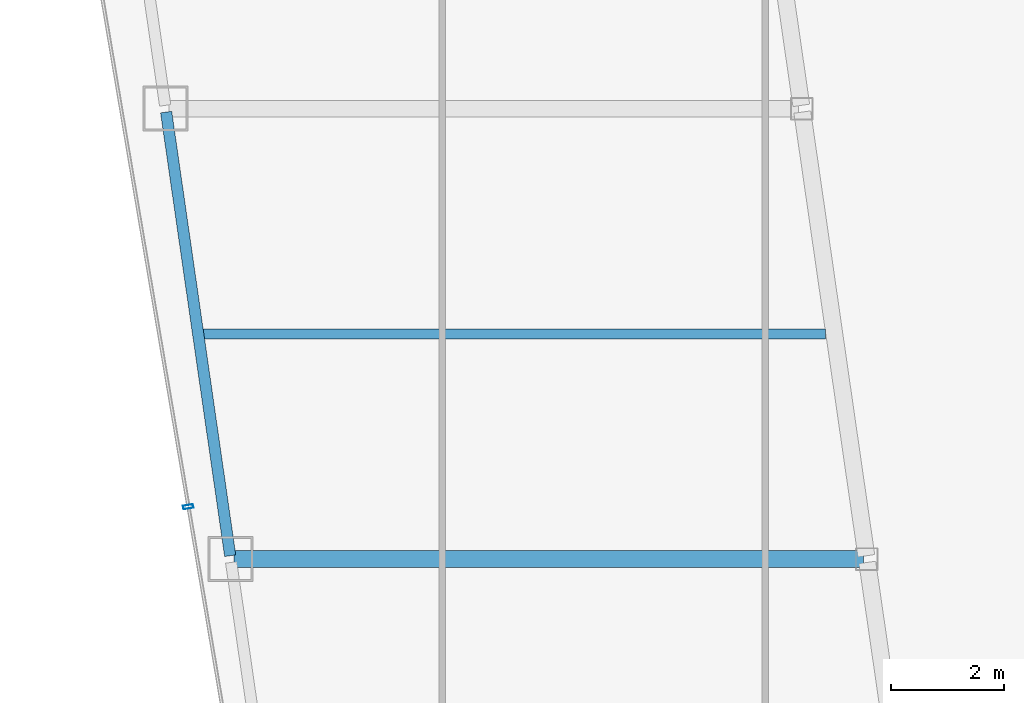
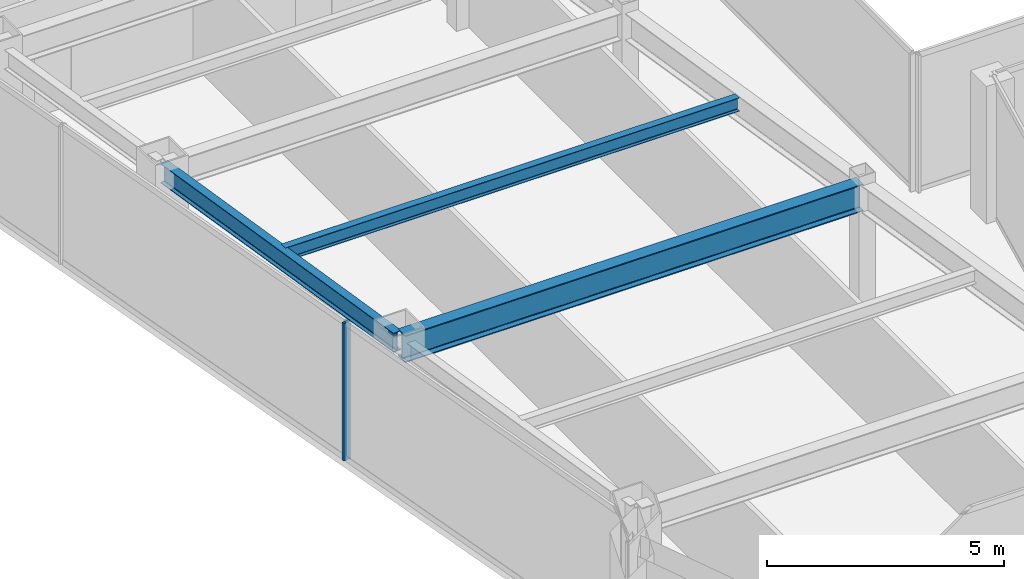
# One storey, part 5 of 36: 3 beams, 1 member, 1 element without a shape of its own.
"""IFC4 building model written with IfcOpenShell, lengths in metres."""

from ifc_helpers import new_model, si_unit, direction, frame, origin, origin_2d, place, context, subcontext, project, spatial, hollow_rectangle, i_section, extrude, material, material_profile, profile_set, type_object, element, aggregate, save


model = new_model("IFC4")

# Units and contexts
model_context = context("Model", 3, precision=1e-05, world=origin(), true_north=direction((0.0, 1.0)))
body_context = subcontext(model_context, "Body", "Model", "MODEL_VIEW")
ifc_project = project(units=[si_unit("LENGTHUNIT", "METRE"), si_unit("AREAUNIT", "SQUARE_METRE"), si_unit("VOLUMEUNIT", "CUBIC_METRE"), si_unit("PLANEANGLEUNIT", "RADIAN"), si_unit("MASSUNIT", "GRAM", prefix="KILO")], contexts=[model_context])

# Site, building, storey
site_placement = place(None, origin())
site = spatial("IfcSite", under=ifc_project, at=site_placement, CompositionType="ELEMENT")
building_placement = place(site_placement, origin())
building = spatial("IfcBuilding", under=site, at=building_placement, Name="Saevonmaru Cultural Tower", CompositionType="ELEMENT")
storey_placement = place(building_placement, frame((0.0, 0.0, 186.60009765625)))
storey = spatial("IfcBuildingStorey", under=building, at=storey_placement, Name="L42", CompositionType="ELEMENT", Elevation=186.60009765625)

# Beams
ifc_material_1 = material(Name="Steel SM355", Category="steel")
ifc_material_profile_1 = material_profile(ifc_material_1, i_section(OverallWidth=0.300048828125, OverallDepth=0.699951171875, WebThickness=0.012939453125, FlangeThickness=0.02392578125, FilletRadius=0.02587890625, at=origin_2d()), Name="H-700x300x13x24")
ifc_profile_set_1 = profile_set([ifc_material_profile_1], Name="Steel SM355")
beam_type_1 = type_object("IfcBeamType", Name="BM-G-H700", PredefinedType="BEAM", material=ifc_profile_set_1)
beam_1_placement = place(storey_placement, frame((9.531982421875, 24.0, 3.199951171875), z_axis=(1.0, 0.0, 0.0), x_axis=(0.0, 1.0, 0.0)))
element("IfcBeam", 1, at=beam_1_placement, inside=storey, type_object=beam_type_1, Name="L42 West Wing Transverse Girder 2", PredefinedType="BEAM", context=body_context, shape_type="SweptSolid", body=[
    extrude(i_section(OverallWidth=0.300048828125, OverallDepth=0.699951171875, WebThickness=0.012939453125, FlangeThickness=0.02392578125, FilletRadius=0.02587890625, at=origin_2d()), origin(), (0.0, 0.0, 1.0), 11.179931640625),
])
ifc_material_profile_2 = material_profile(ifc_material_1, i_section(OverallWidth=0.175048828125, OverallDepth=0.35009765625, WebThickness=0.007080078125, FlangeThickness=0.010986328125, FilletRadius=0.012939453125, at=origin_2d()), Name="H-350x175x7x11")
ifc_profile_set_2 = profile_set([ifc_material_profile_2], Name="Steel SM355")
beam_type_2 = type_object("IfcBeamType", Name="BM-J-H350", PredefinedType="JOIST", material=ifc_profile_set_2)
beam_2_placement = place(storey_placement, frame((8.95458984375, 28.0, 3.375), z_axis=(1.0, 0.0, 0.0), x_axis=(0.0, 1.0, 0.0)))
element("IfcBeam", 2, at=beam_2_placement, inside=storey, type_object=beam_type_2, Name="L42 West Wing Floor Joist 2", PredefinedType="JOIST", context=body_context, shape_type="SweptSolid", body=[
    extrude(i_section(OverallWidth=0.175048828125, OverallDepth=0.35009765625, WebThickness=0.007080078125, FlangeThickness=0.010986328125, FilletRadius=0.012939453125, at=origin_2d()), origin(), (0.0, 0.0, 1.0), 11.08203125),
])
ifc_material_profile_3 = material_profile(ifc_material_1, i_section(OverallWidth=0.199951171875, OverallDepth=0.5, WebThickness=0.010009765625, FlangeThickness=0.01611328125, FilletRadius=0.02001953125, at=origin_2d()), Name="H-500x200x10x16")
ifc_profile_set_3 = profile_set([ifc_material_profile_3], Name="Steel SM355")
beam_type_3 = type_object("IfcBeamType", Name="BM-SP-H500", PredefinedType="SPANDREL", material=ifc_profile_set_3)
beam_3_placement = place(storey_placement, frame((9.46337890625, 24.059326171875, 3.2998046875), z_axis=(-0.142871999001, 0.989741174197, 0.0), x_axis=(-0.989741174197, -0.142871999001, 0.0)))
element("IfcBeam", 3, at=beam_3_placement, inside=storey, type_object=beam_type_3, Name="L42 West Splayed Spandrel 2", PredefinedType="SPANDREL", context=body_context, shape_type="SweptSolid", body=[
    extrude(i_section(OverallWidth=0.199951171875, OverallDepth=0.5, WebThickness=0.010009765625, FlangeThickness=0.01611328125, FilletRadius=0.02001953125, at=origin_2d()), origin(), (0.0, 0.0, 1.0), 7.963134765625),
])

# Curtain wall, member
ifc_material_2 = material(Name="Satin Bronze Anodised Aluminium", Category="aluminium")
curtain_wall_type = type_object("IfcCurtainWallType", Name="CW-TYP-B", PredefinedType="NOTDEFINED", material=ifc_material_2)
curtain_wall_placement = place(storey_placement, origin())
curtain_wall = element("IfcCurtainWall", 4, at=curtain_wall_placement, inside=storey, type_object=curtain_wall_type, Name="L42 Unitised Curtain Wall E12", PredefinedType="NOTDEFINED")
ifc_material_profile_4 = material_profile(ifc_material_2, hollow_rectangle(XDim=0.06494140625, YDim=0.179931640625, WallThickness=0.00390625, at=origin_2d()), Name="ALU-MULL-180x65x4")
ifc_profile_set_4 = profile_set([ifc_material_profile_4], Name="Satin Bronze Anodised Aluminium")
member_type = type_object("IfcMemberType", Name="ML-CW-180x65", PredefinedType="MULLION", material=ifc_profile_set_4)
member_placement = place(storey_placement, frame((8.71826171875, 24.9296875, 0.0), z_axis=(0.0, 0.0, 1.0), x_axis=(0.16692169721, -0.985970155228, 0.0)))
member = element("IfcMember", 5, at=member_placement, type_object=member_type, Name="CW-TW-L42-E12 mullion 4", PredefinedType="MULLION", context=body_context, shape_type="SweptSolid", body=[
    extrude(hollow_rectangle(XDim=0.06494140625, YDim=0.179931640625, WallThickness=0.00390625, at=origin_2d()), origin(), (0.0, 0.0, 1.0), 3.5498046875),
])
aggregate(curtain_wall, [member])

save(model, "model.ifc")
